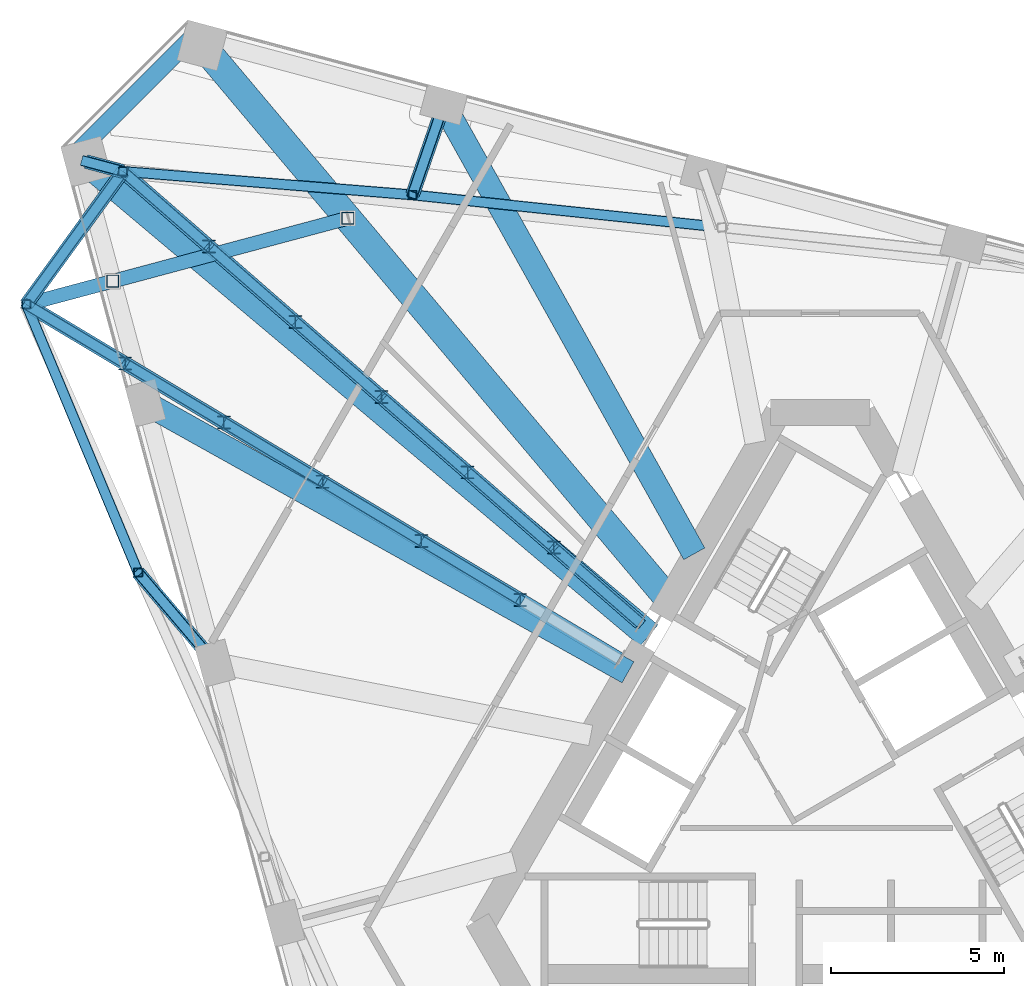
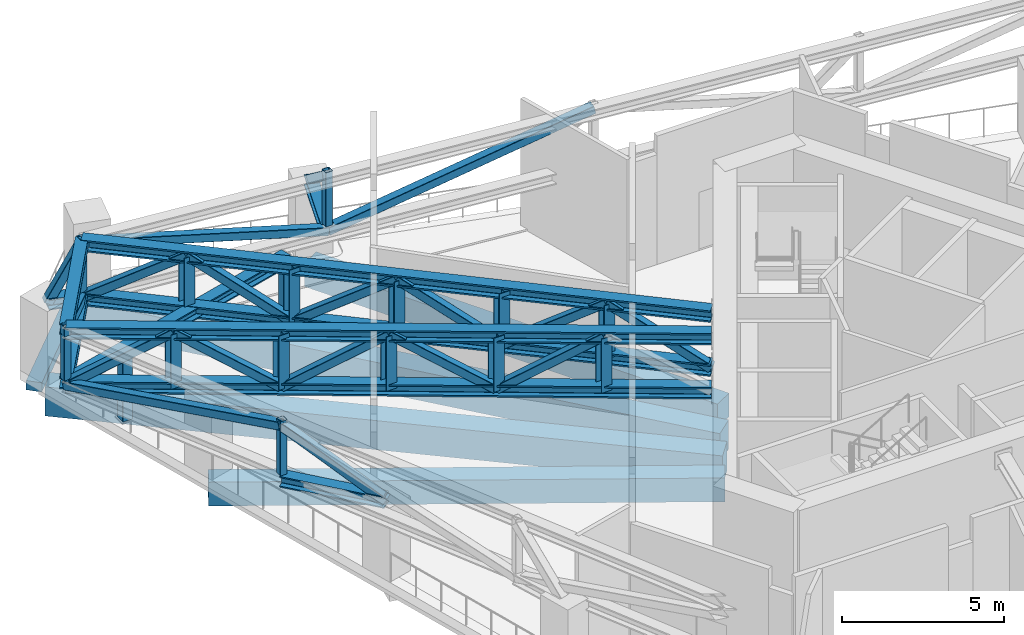
# One storey, part 9 of 22: 44 members, 5 beams.
"""IFC4 building model written with IfcOpenShell, lengths in metres."""

from ifc_helpers import new_model, si_unit, direction, frame, origin, origin_2d, place, context, subcontext, project, spatial, rectangle, hollow_rectangle, i_section, extrude, material, material_profile, profile_set, type_object, element, save


model = new_model("IFC4")

# Units and contexts
model_context = context("Model", 3, precision=1e-05, world=origin(), true_north=direction((0.0, 1.0)))
body_context = subcontext(model_context, "Body", "Model", "MODEL_VIEW")
ifc_project = project(units=[si_unit("LENGTHUNIT", "METRE"), si_unit("AREAUNIT", "SQUARE_METRE"), si_unit("VOLUMEUNIT", "CUBIC_METRE"), si_unit("PLANEANGLEUNIT", "RADIAN"), si_unit("MASSUNIT", "GRAM", prefix="KILO")], contexts=[model_context])

# Site, building, storey
site_placement = place(None, origin())
site = spatial("IfcSite", under=ifc_project, at=site_placement, CompositionType="ELEMENT")
building_placement = place(site_placement, origin())
building = spatial("IfcBuilding", under=site, at=building_placement, Name="Tramontana Tower", CompositionType="ELEMENT")
storey_placement = place(building_placement, frame((0.0, 0.0, 232.0)))
storey = spatial("IfcBuildingStorey", under=building, at=storey_placement, Name="L54", CompositionType="ELEMENT", Elevation=232.0)

# Members
ifc_material_1 = material(Name="Steel ASTM A500 Grade C", Category="steel")
ifc_material_profile_1 = material_profile(ifc_material_1, hollow_rectangle(XDim=0.25390625, YDim=0.25390625, WallThickness=0.01171875, InnerFilletRadius=0.01171875, OuterFilletRadius=0.023681640625, at=origin_2d()), Name="HSS10X10X1/2")
ifc_profile_set_1 = profile_set([ifc_material_profile_1], Name="Steel ASTM A500 Grade C")
member_type_1 = type_object("IfcMemberType", Name="Belt truss HSS10X10X1/2 post", PredefinedType="POST", material=ifc_profile_set_1)
for number, where, z_axis, x_axis, name in (
    (1, (-22.98291015625, 13.758056640625, 2.806396484375), (0.0, 0.0, 1.0), (1.0, 0.0, 0.0), "Belt truss post C6K1"),
    (2, (-19.746337890625, 5.996826171875, 2.806396484375), (0.0, 0.0, 1.0), (1.0, 0.0, 0.0), "Belt truss post C6F01"),
    (3, (-11.805419921875, 16.9267578125, 2.806396484375), (0.0, 0.0, 1.0), (1.0, 0.0, 0.0), "Belt truss post C6F12"),
    (4, (-20.18701171875, 17.606689453125, 2.806396484375), (0.0, 0.0, 1.0), (1.0, 0.0, 0.0), "Belt truss post C6K6"),
):
    element("IfcMember", number, at=place(storey_placement, frame(where, z_axis=z_axis, x_axis=x_axis)), inside=storey, type_object=member_type_1, Name=name, PredefinedType="POST", context=body_context, shape_type="SweptSolid", body=[
        extrude(hollow_rectangle(XDim=0.25390625, YDim=0.25390625, WallThickness=0.01171875, InnerFilletRadius=0.01171875, OuterFilletRadius=0.023681640625, at=origin_2d()), origin(), (0.0, 0.0, 1.0), 2.043701171875),
    ])
ifc_material_2 = material(Name="Steel ASTM A500 Grade C", Category="steel")
ifc_material_profile_2 = material_profile(ifc_material_2, hollow_rectangle(XDim=0.3046875, YDim=0.3046875, WallThickness=0.01171875, InnerFilletRadius=0.01171875, OuterFilletRadius=0.023681640625, at=origin_2d()), Name="HSS12X12X1/2")
ifc_profile_set_2 = profile_set([ifc_material_profile_2], Name="Steel ASTM A500 Grade C")
member_type_2 = type_object("IfcMemberType", Name="Belt truss HSS12X12X1/2 brace", PredefinedType="BRACE", material=ifc_profile_set_2)
member_1_placement = place(storey_placement, frame((-22.98291015625, 13.758056640625, 2.603271484375), z_axis=(0.37400699813, -0.896860712873, 0.236134764604), x_axis=(0.922961780161, 0.384891611186, 0.0)))
element("IfcMember", 5, at=member_1_placement, inside=storey, type_object=member_type_2, Name="Belt truss diagonal S0.1", PredefinedType="BRACE", context=body_context, shape_type="SweptSolid", body=[
    extrude(hollow_rectangle(XDim=0.3046875, YDim=0.3046875, WallThickness=0.01171875, InnerFilletRadius=0.01171875, OuterFilletRadius=0.023681640625, at=origin_2d()), origin(), (0.0, 0.0, 1.0), 8.65380859375),
])
member_2_placement = place(storey_placement, frame((-2.847900390625, 15.9853515625, 4.646728515625), z_axis=(-0.969874391038, 0.101930652817, -0.221255073671), x_axis=(-0.104521106837, -0.994522668533, 0.0)))
element("IfcMember", 6, at=member_2_placement, inside=storey, type_object=member_type_2, Name="Belt truss diagonal S2.4", PredefinedType="BRACE", context=body_context, shape_type="SweptSolid", body=[
    extrude(hollow_rectangle(XDim=0.3046875, YDim=0.3046875, WallThickness=0.01171875, InnerFilletRadius=0.01171875, OuterFilletRadius=0.023681640625, at=origin_2d()), origin(), (0.0, 0.0, 1.0), 9.23583984375),
])
member_3_placement = place(storey_placement, frame((-11.805419921875, 16.9267578125, 2.603271484375), z_axis=(-0.968539163701, 0.078569851473, 0.236132731356), x_axis=(-0.08085640509, -0.996725760556, 0.0)))
element("IfcMember", 7, at=member_3_placement, inside=storey, type_object=member_type_2, Name="Belt truss diagonal S2.5", PredefinedType="BRACE", context=body_context, shape_type="SweptSolid", body=[
    extrude(hollow_rectangle(XDim=0.3046875, YDim=0.3046875, WallThickness=0.01171875, InnerFilletRadius=0.01171875, OuterFilletRadius=0.023681640625, at=origin_2d()), origin(), (0.0, 0.0, 1.0), 8.65380859375),
])
member_4_placement = place(storey_placement, frame((-20.18701171875, 17.606689453125, 2.603271484375), z_axis=(-0.54002715425, -0.743362561962, 0.394693265899), x_axis=(0.809046680185, -0.587744391111, 0.0)))
element("IfcMember", 8, at=member_4_placement, inside=storey, type_object=member_type_2, Name="Belt truss diagonal K0.1", PredefinedType="BRACE", context=body_context, shape_type="SweptSolid", body=[
    extrude(hollow_rectangle(XDim=0.3046875, YDim=0.3046875, WallThickness=0.01171875, InnerFilletRadius=0.01171875, OuterFilletRadius=0.023681640625, at=origin_2d()), origin(), (0.0, 0.0, 1.0), 5.17724609375),
])
ifc_material_3 = material(Name="Steel ASTM A992 Grade 50", Category="steel")
ifc_material_profile_3 = material_profile(ifc_material_3, i_section(OverallWidth=0.4033203125, OverallDepth=0.406494140625, WebThickness=0.027099609375, FlangeThickness=0.04443359375, FilletRadius=0.01513671875, at=origin_2d()), Name="W14X233")
ifc_profile_set_3 = profile_set([ifc_material_profile_3], Name="Steel ASTM A992 Grade 50")
member_type_3 = type_object("IfcMemberType", Name="Belt truss W14X233 chord", PredefinedType="CHORD", material=ifc_profile_set_3)
for number, where, z_axis, x_axis, name in (
    (9, (-20.18701171875, 17.606689453125, 2.603271484375), (-0.587744391111, -0.809046680185, 0.0), (0.809046680185, -0.587744391111, 0.0), "Belt truss bottom chord K0"),
    (10, (-20.18701171875, 17.606689453125, 4.646728515625), (-0.587744391111, -0.809046680185, 0.0), (0.809046680185, -0.587744391111, 0.0), "Belt truss top chord K0"),
):
    element("IfcMember", number, at=place(storey_placement, frame(where, z_axis=z_axis, x_axis=x_axis)), inside=storey, type_object=member_type_3, Name=name, PredefinedType="CHORD", context=body_context, shape_type="SweptSolid", body=[
        extrude(i_section(OverallWidth=0.4033203125, OverallDepth=0.406494140625, WebThickness=0.027099609375, FlangeThickness=0.04443359375, FilletRadius=0.01513671875, at=origin_2d()), origin(), (0.0, 0.0, 1.0), 4.757080078125),
    ])
ifc_material_4 = material(Name="Steel ASTM A500 Grade C", Category="steel")
ifc_material_profile_4 = material_profile(ifc_material_4, hollow_rectangle(XDim=0.3046875, YDim=0.3046875, WallThickness=0.01171875, InnerFilletRadius=0.01171875, OuterFilletRadius=0.023681640625, at=origin_2d()), Name="HSS12X12X1/2")
ifc_profile_set_4 = profile_set([ifc_material_profile_4], Name="Steel ASTM A500 Grade C")
member_type_4 = type_object("IfcMemberType", Name="Outrigger truss HSS12X12X1/2 brace", PredefinedType="BRACE", material=ifc_profile_set_4)
member_5_placement = place(storey_placement, frame((-5.218505859375, 4.541259765625, 2.603271484375), z_axis=(-0.641117954268, 0.559613528491, 0.525167085264), x_axis=(-0.65759588186, -0.753370862299, 0.0)))
element("IfcMember", 11, at=member_5_placement, inside=storey, type_object=member_type_4, Name="Outrigger truss diagonal 5.1", PredefinedType="BRACE", context=body_context, shape_type="SweptSolid", body=[
    extrude(hollow_rectangle(XDim=0.3046875, YDim=0.3046875, WallThickness=0.01171875, InnerFilletRadius=0.01171875, OuterFilletRadius=0.023681640625, at=origin_2d()), origin(), (0.0, 0.0, 1.0), 3.89111328125),
])
member_6_placement = place(storey_placement, frame((-7.713134765625, 6.71875, 4.646728515625), z_axis=(-0.64113239548, 0.559634109764, -0.525127522279), x_axis=(-0.657601201194, -0.753366219171, 0.0)))
element("IfcMember", 12, at=member_6_placement, inside=storey, type_object=member_type_4, Name="Outrigger truss diagonal 5.2", PredefinedType="BRACE", context=body_context, shape_type="SweptSolid", body=[
    extrude(hollow_rectangle(XDim=0.3046875, YDim=0.3046875, WallThickness=0.01171875, InnerFilletRadius=0.01171875, OuterFilletRadius=0.023681640625, at=origin_2d()), origin(), (0.0, 0.0, 1.0), 3.891357421875),
])
for number, where, z_axis, x_axis, name in (
    (13, (-10.2080078125, 8.896484375, 2.603271484375), (-0.641117954268, 0.559613528491, 0.525167085264), (-0.65759588186, -0.753370862299, 0.0), "Outrigger truss diagonal 5.3"),
    (14, (-12.70263671875, 11.073974609375, 4.646728515625), (-0.641154906219, 0.559591017572, -0.525145959981), (-0.657559356383, -0.753402742783, 0.0), "Outrigger truss diagonal 5.4"),
    (15, (-15.197509765625, 13.25146484375, 2.603271484375), (-0.641117954268, 0.559613528491, 0.525167085264), (-0.65759588186, -0.753370862299, 0.0), "Outrigger truss diagonal 5.5"),
):
    element("IfcMember", number, at=place(storey_placement, frame(where, z_axis=z_axis, x_axis=x_axis)), inside=storey, type_object=member_type_4, Name=name, PredefinedType="BRACE", context=body_context, shape_type="SweptSolid", body=[
        extrude(hollow_rectangle(XDim=0.3046875, YDim=0.3046875, WallThickness=0.01171875, InnerFilletRadius=0.01171875, OuterFilletRadius=0.023681640625, at=origin_2d()), origin(), (0.0, 0.0, 1.0), 3.89111328125),
    ])
member_7_placement = place(storey_placement, frame((-17.692138671875, 15.428955078125, 4.646728515625), z_axis=(-0.64113239548, 0.559634109764, -0.525127522279), x_axis=(-0.657601201194, -0.753366219171, 0.0)))
element("IfcMember", 16, at=member_7_placement, inside=storey, type_object=member_type_4, Name="Outrigger truss diagonal 5.6", PredefinedType="BRACE", context=body_context, shape_type="SweptSolid", body=[
    extrude(hollow_rectangle(XDim=0.3046875, YDim=0.3046875, WallThickness=0.01171875, InnerFilletRadius=0.01171875, OuterFilletRadius=0.023681640625, at=origin_2d()), origin(), (0.0, 0.0, 1.0), 3.891357421875),
])
for number, where, z_axis, x_axis, name in (
    (17, (-8.686279296875, 5.19921875, 4.646728515625), (-0.731454519751, 0.437860966357, -0.522735171646), (-0.513622838256, -0.858016072123, 0.0), "Outrigger truss diagonal 6.2"),
    (18, (-11.545654296875, 6.910888671875, 2.603271484375), (-0.731405474591, 0.437931448026, 0.522744754703), (-0.513709056162, -0.857964454751, 0.0), "Outrigger truss diagonal 6.3"),
):
    element("IfcMember", number, at=place(storey_placement, frame(where, z_axis=z_axis, x_axis=x_axis)), inside=storey, type_object=member_type_4, Name=name, PredefinedType="BRACE", context=body_context, shape_type="SweptSolid", body=[
        extrude(hollow_rectangle(XDim=0.3046875, YDim=0.3046875, WallThickness=0.01171875, InnerFilletRadius=0.01171875, OuterFilletRadius=0.023681640625, at=origin_2d()), origin(), (0.0, 0.0, 1.0), 3.9091796875),
    ])
member_8_placement = place(storey_placement, frame((-14.40478515625, 8.622802734375, 4.646728515625), z_axis=(-0.731463555131, 0.437891441013, -0.522696999611), x_axis=(-0.513644483749, -0.858003114397, 0.0)))
element("IfcMember", 19, at=member_8_placement, inside=storey, type_object=member_type_4, Name="Outrigger truss diagonal 6.4", PredefinedType="BRACE", context=body_context, shape_type="SweptSolid", body=[
    extrude(hollow_rectangle(XDim=0.3046875, YDim=0.3046875, WallThickness=0.01171875, InnerFilletRadius=0.01171875, OuterFilletRadius=0.023681640625, at=origin_2d()), origin(), (0.0, 0.0, 1.0), 3.909423828125),
])
member_9_placement = place(storey_placement, frame((-17.264404296875, 10.334716796875, 2.603271484375), z_axis=(-0.731425478525, 0.437880969169, 0.522759051768), x_axis=(-0.513655125169, -0.85799674381, 0.0)))
element("IfcMember", 20, at=member_9_placement, inside=storey, type_object=member_type_4, Name="Outrigger truss diagonal 6.5", PredefinedType="BRACE", context=body_context, shape_type="SweptSolid", body=[
    extrude(hollow_rectangle(XDim=0.3046875, YDim=0.3046875, WallThickness=0.01171875, InnerFilletRadius=0.01171875, OuterFilletRadius=0.023681640625, at=origin_2d()), origin(), (0.0, 0.0, 1.0), 3.908935546875),
])
member_10_placement = place(storey_placement, frame((-20.12353515625, 12.04638671875, 4.646728515625), z_axis=(-0.731454519751, 0.437860966357, -0.522735171646), x_axis=(-0.513622838256, -0.858016072123, 0.0)))
element("IfcMember", 21, at=member_10_placement, inside=storey, type_object=member_type_4, Name="Outrigger truss diagonal 6.6", PredefinedType="BRACE", context=body_context, shape_type="SweptSolid", body=[
    extrude(hollow_rectangle(XDim=0.3046875, YDim=0.3046875, WallThickness=0.01171875, InnerFilletRadius=0.01171875, OuterFilletRadius=0.023681640625, at=origin_2d()), origin(), (0.0, 0.0, 1.0), 3.9091796875),
])
ifc_material_5 = material(Name="Steel ASTM A992 Grade 50", Category="steel")
ifc_material_profile_5 = material_profile(ifc_material_5, i_section(OverallWidth=0.374755859375, OverallDepth=0.37158203125, WebThickness=0.015869140625, FlangeThickness=0.025390625, FilletRadius=0.01513671875, at=origin_2d()), Name="W14X132")
ifc_profile_set_5 = profile_set([ifc_material_profile_5], Name="Steel ASTM A992 Grade 50")
member_type_5 = type_object("IfcMemberType", Name="Outrigger truss W14X132 post", PredefinedType="POST", material=ifc_profile_set_5)
for number, where, z_axis, x_axis, name in (
    (22, (-7.713134765625, 6.71875, 2.603271484375), (0.0, 0.0, 1.0), (1.0, 0.0, 0.0), "Outrigger truss post 5.1"),
    (23, (-10.2080078125, 8.896484375, 2.603271484375), (0.0, 0.0, 1.0), (1.0, 0.0, 0.0), "Outrigger truss post 5.2"),
    (24, (-12.70263671875, 11.073974609375, 2.603271484375), (0.0, 0.0, 1.0), (1.0, 0.0, 0.0), "Outrigger truss post 5.3"),
    (25, (-15.197509765625, 13.25146484375, 2.603271484375), (0.0, 0.0, 1.0), (1.0, 0.0, 0.0), "Outrigger truss post 5.4"),
    (26, (-17.692138671875, 15.428955078125, 2.603271484375), (0.0, 0.0, 1.0), (1.0, 0.0, 0.0), "Outrigger truss post 5.5"),
    (27, (-8.686279296875, 5.19921875, 2.603271484375), (0.0, 0.0, 1.0), (1.0, 0.0, 0.0), "Outrigger truss post 6.1"),
    (28, (-11.545654296875, 6.910888671875, 2.603271484375), (0.0, 0.0, 1.0), (1.0, 0.0, 0.0), "Outrigger truss post 6.2"),
    (29, (-14.40478515625, 8.622802734375, 2.603271484375), (0.0, 0.0, 1.0), (1.0, 0.0, 0.0), "Outrigger truss post 6.3"),
    (30, (-17.264404296875, 10.334716796875, 2.603271484375), (0.0, 0.0, 1.0), (1.0, 0.0, 0.0), "Outrigger truss post 6.4"),
    (31, (-20.12353515625, 12.04638671875, 2.603271484375), (0.0, 0.0, 1.0), (1.0, 0.0, 0.0), "Outrigger truss post 6.5"),
):
    element("IfcMember", number, at=place(storey_placement, frame(where, z_axis=z_axis, x_axis=x_axis)), inside=storey, type_object=member_type_5, Name=name, PredefinedType="POST", context=body_context, shape_type="SweptSolid", body=[
        extrude(i_section(OverallWidth=0.374755859375, OverallDepth=0.37158203125, WebThickness=0.015869140625, FlangeThickness=0.025390625, FilletRadius=0.01513671875, at=origin_2d()), origin(), (0.0, 0.0, 1.0), 2.04345703125),
    ])
ifc_material_6 = material(Name="Steel ASTM A992 Grade 50", Category="steel")
ifc_material_profile_6 = material_profile(ifc_material_6, i_section(OverallWidth=0.412841796875, OverallDepth=0.43505859375, WebThickness=0.03662109375, FlangeThickness=0.05712890625, FilletRadius=0.01513671875, at=origin_2d()), Name="W14X311")
ifc_profile_set_6 = profile_set([ifc_material_profile_6], Name="Steel ASTM A992 Grade 50")
member_type_6 = type_object("IfcMemberType", Name="Outrigger truss W14X311 chord", PredefinedType="CHORD", material=ifc_profile_set_6)
for number, where, z_axis, x_axis, name in (
    (32, (-5.218505859375, 4.541259765625, 2.603271484375), (-0.753374628114, 0.657591567551, 0.0), (-0.657591567551, -0.753374628114, 0.0), "Outrigger truss bottom chord 5"),
    (33, (-5.218505859375, 4.541259765625, 4.646728515625), (-0.753374628114, 0.657591567551, 0.0), (-0.657591567551, -0.753374628114, 0.0), "Outrigger truss top chord 5"),
):
    element("IfcMember", number, at=place(storey_placement, frame(where, z_axis=z_axis, x_axis=x_axis)), inside=storey, type_object=member_type_6, Name=name, PredefinedType="CHORD", context=body_context, shape_type="SweptSolid", body=[
        extrude(i_section(OverallWidth=0.412841796875, OverallDepth=0.43505859375, WebThickness=0.03662109375, FlangeThickness=0.05712890625, FilletRadius=0.01513671875, at=origin_2d()), origin(), (0.0, 0.0, 1.0), 19.86865234375),
    ])
for number, where, z_axis, x_axis, name in (
    (34, (-5.826904296875, 3.4873046875, 2.603271484375), (-0.85799670797, 0.513655185035, 0.0), (-0.513655185035, -0.85799670797, 0.0), "Outrigger truss bottom chord 6"),
    (35, (-5.826904296875, 3.4873046875, 4.646728515625), (-0.85799670797, 0.513655185035, 0.0), (-0.513655185035, -0.85799670797, 0.0), "Outrigger truss top chord 6"),
):
    element("IfcMember", number, at=place(storey_placement, frame(where, z_axis=z_axis, x_axis=x_axis)), inside=storey, type_object=member_type_6, Name=name, PredefinedType="CHORD", context=body_context, shape_type="SweptSolid", body=[
        extrude(i_section(OverallWidth=0.412841796875, OverallDepth=0.43505859375, WebThickness=0.03662109375, FlangeThickness=0.05712890625, FilletRadius=0.01513671875, at=origin_2d()), origin(), (0.0, 0.0, 1.0), 19.995361328125),
    ])

# Beams
ifc_material_7 = material(Name="Concrete 40 MPa", Category="concrete")
ifc_material_profile_7 = material_profile(ifc_material_7, rectangle(XDim=0.5, YDim=0.35009765625, at=origin_2d()), Name="RC EDGE BEAM 500X350 40 MPa")
ifc_profile_set_7 = profile_set([ifc_material_profile_7], Name="Concrete 40 MPa")
beam_type_1 = type_object("IfcBeamType", Name="RC EDGE BEAM 500X350 40 MPa", PredefinedType="SPANDREL", material=ifc_profile_set_7)
beam_1_placement = place(storey_placement, frame((-17.997314453125, 21.67138671875, -0.52490234375), z_axis=(-0.707106781187, -0.707106781187, 0.0), x_axis=(0.707106781187, -0.707106781187, 0.0)))
element("IfcBeam", 36, at=beam_1_placement, inside=storey, type_object=beam_type_1, Name="Spandrel beam K0 L54", PredefinedType="SPANDREL", context=body_context, shape_type="SweptSolid", body=[
    extrude(rectangle(XDim=0.5, YDim=0.35009765625, at=origin_2d()), origin(), (0.0, 0.0, 1.0), 5.19580078125),
])
ifc_material_8 = material(Name="Concrete 40 MPa", Category="concrete")
ifc_material_profile_8 = material_profile(ifc_material_8, rectangle(XDim=0.699951171875, YDim=0.89990234375, at=origin_2d()), Name="RC GIRDER 700X900 40 MPa")
ifc_profile_set_8 = profile_set([ifc_material_profile_8], Name="Concrete 40 MPa")
beam_type_2 = type_object("IfcBeamType", Name="RC GIRDER 700X900 40 MPa", PredefinedType="BEAM", material=ifc_profile_set_8)
beam_2_placement = place(storey_placement, frame((-19.53759765625, 10.9033203125, -0.800048828125), z_axis=(0.873222771741, -0.487321239956, 0.0), x_axis=(0.487321239956, 0.873222771741, 0.0)))
element("IfcBeam", 37, at=beam_2_placement, inside=storey, type_object=beam_type_2, Name="Radial girder C5F01 L54", PredefinedType="BEAM", context=body_context, shape_type="SweptSolid", body=[
    extrude(rectangle(XDim=0.699951171875, YDim=0.89990234375, at=origin_2d()), origin(), (0.0, 0.0, 1.0), 15.99853515625),
])
beam_3_placement = place(storey_placement, frame((-10.9033203125, 19.53759765625, -0.800048828125), z_axis=(0.487317016809, -0.873225128548, 0.0), x_axis=(0.873225128548, 0.487317016809, 0.0)))
element("IfcBeam", 38, at=beam_3_placement, inside=storey, type_object=beam_type_2, Name="Radial girder C5F15 L54", PredefinedType="BEAM", context=body_context, shape_type="SweptSolid", body=[
    extrude(rectangle(XDim=0.699951171875, YDim=0.89990234375, at=origin_2d()), origin(), (0.0, 0.0, 1.0), 14.887939453125),
])
ifc_material_9 = material(Name="Concrete 40 MPa", Category="concrete")
ifc_material_profile_9 = material_profile(ifc_material_9, rectangle(XDim=0.800048828125, YDim=1.10009765625, at=origin_2d()), Name="RC GIRDER 800X1100 40 MPa")
ifc_profile_set_9 = profile_set([ifc_material_profile_9], Name="Concrete 40 MPa")
beam_type_3 = type_object("IfcBeamType", Name="RC GIRDER 800X1100 40 MPa", PredefinedType="BEAM", material=ifc_profile_set_9)
beam_4_placement = place(storey_placement, frame((-21.2548828125, 17.89111328125, -0.89990234375), z_axis=(0.765048789766, -0.643972320273, 0.0), x_axis=(0.643972320273, 0.765048789766, 0.0)))
element("IfcBeam", 39, at=beam_4_placement, inside=storey, type_object=beam_type_3, Name="Radial girder C5K1 L54", PredefinedType="BEAM", context=body_context, shape_type="SweptSolid", body=[
    extrude(rectangle(XDim=0.800048828125, YDim=1.10009765625, at=origin_2d()), origin(), (0.0, 0.0, 1.0), 21.301513671875),
])
beam_5_placement = place(storey_placement, frame((-17.89111328125, 21.2548828125, -0.89990234375), z_axis=(0.643976971362, -0.765044874733, 0.0), x_axis=(0.765044874733, 0.643976971362, 0.0)))
element("IfcBeam", 40, at=beam_5_placement, inside=storey, type_object=beam_type_3, Name="Radial girder C5K6 L54", PredefinedType="BEAM", context=body_context, shape_type="SweptSolid", body=[
    extrude(rectangle(XDim=0.800048828125, YDim=1.10009765625, at=origin_2d()), origin(), (0.0, 0.0, 1.0), 20.978271484375),
])

# Members
ifc_material_10 = material(Name="Steel ASTM A500 Grade C", Category="steel")
ifc_material_profile_10 = material_profile(ifc_material_10, hollow_rectangle(XDim=0.3046875, YDim=0.3046875, WallThickness=0.01171875, InnerFilletRadius=0.01171875, OuterFilletRadius=0.023681640625, at=origin_2d()), Name="HSS12X12X1/2")
ifc_profile_set_10 = profile_set([ifc_material_profile_10], Name="Steel ASTM A500 Grade C")
member_type_7 = type_object("IfcMemberType", Name="Transfer truss HSS12X12X1/2 brace", PredefinedType="BRACE", material=ifc_profile_set_10)
member_11_placement = place(storey_placement, frame((-17.5205078125, 3.37451171875, 2.603271484375), z_axis=(-0.55634331977, 0.655444071257, 0.510759414991), x_axis=(-0.762389219091, -0.647118751555, 0.0)))
element("IfcMember", 41, at=member_11_placement, inside=storey, type_object=member_type_7, Name="Transfer truss strut C6F01 diagonal", PredefinedType="BRACE", context=body_context, shape_type="SweptSolid", body=[
    extrude(hollow_rectangle(XDim=0.3046875, YDim=0.3046875, WallThickness=0.01171875, InnerFilletRadius=0.01171875, OuterFilletRadius=0.023681640625, at=origin_2d()), origin(), (0.0, 0.0, 1.0), 4.000732421875),
])
member_12_placement = place(storey_placement, frame((-10.9033203125, 19.53759765625, 2.603271484375), z_axis=(-0.26254477557, -0.759852186725, 0.594722536272), x_axis=(0.945170861809, -0.326576242228, 0.0)))
element("IfcMember", 42, at=member_12_placement, inside=storey, type_object=member_type_7, Name="Transfer truss strut C6F12 diagonal", PredefinedType="BRACE", context=body_context, shape_type="SweptSolid", body=[
    extrude(hollow_rectangle(XDim=0.3046875, YDim=0.3046875, WallThickness=0.01171875, InnerFilletRadius=0.01171875, OuterFilletRadius=0.023681640625, at=origin_2d()), origin(), (0.0, 0.0, 1.0), 3.43603515625),
])
member_13_placement = place(storey_placement, frame((-21.2548828125, 17.89111328125, 2.603271484375), z_axis=(0.459667862793, -0.1224309694, 0.879611342382), x_axis=(0.257373882361, 0.966311898239, 0.0)))
element("IfcMember", 43, at=member_13_placement, inside=storey, type_object=member_type_7, Name="Transfer truss strut C6K6 diagonal", PredefinedType="BRACE", context=body_context, shape_type="SweptSolid", body=[
    extrude(hollow_rectangle(XDim=0.3046875, YDim=0.3046875, WallThickness=0.01171875, InnerFilletRadius=0.01171875, OuterFilletRadius=0.023681640625, at=origin_2d()), origin(), (0.0, 0.0, 1.0), 2.3232421875),
])
ifc_material_11 = material(Name="Steel ASTM A500 Grade C", Category="steel")
ifc_material_profile_11 = material_profile(ifc_material_11, hollow_rectangle(XDim=0.355712890625, YDim=0.355712890625, WallThickness=0.01171875, InnerFilletRadius=0.01171875, OuterFilletRadius=0.023681640625, at=origin_2d()), Name="HSS14X14X1/2")
ifc_profile_set_11 = profile_set([ifc_material_profile_11], Name="Steel ASTM A500 Grade C")
member_type_8 = type_object("IfcMemberType", Name="Transfer truss HSS14X14X1/2 post", PredefinedType="POST", material=ifc_profile_set_11)
for number, where, z_axis, x_axis, name in (
    (44, (-20.482177734375, 14.42822265625, 0.0400390625), (0.0, 0.0, 1.0), (1.0, 0.0, 0.0), "Transfer truss post C6K1.1"),
    (45, (-13.67919921875, 16.2509765625, 0.0400390625), (0.0, 0.0, 1.0), (1.0, 0.0, 0.0), "Transfer truss post C6K1.2"),
):
    element("IfcMember", number, at=place(storey_placement, frame(where, z_axis=z_axis, x_axis=x_axis)), inside=storey, type_object=member_type_8, Name=name, PredefinedType="POST", context=body_context, shape_type="SweptSolid", body=[
        extrude(hollow_rectangle(XDim=0.355712890625, YDim=0.355712890625, WallThickness=0.01171875, InnerFilletRadius=0.01171875, OuterFilletRadius=0.023681640625, at=origin_2d()), origin(), (0.0, 0.0, 1.0), 2.35986328125),
    ])
ifc_material_12 = material(Name="Steel ASTM A992 Grade 50", Category="steel")
ifc_material_profile_12 = material_profile(ifc_material_12, i_section(OverallWidth=0.4033203125, OverallDepth=0.406494140625, WebThickness=0.027099609375, FlangeThickness=0.04443359375, FilletRadius=0.01513671875, at=origin_2d()), Name="W14X233")
ifc_profile_set_12 = profile_set([ifc_material_profile_12], Name="Steel ASTM A992 Grade 50")
member_type_9 = type_object("IfcMemberType", Name="Transfer truss W14X233 chord", PredefinedType="CHORD", material=ifc_profile_set_12)
member_14_placement = place(storey_placement, frame((-22.98291015625, 13.758056640625, 2.603271484375), z_axis=(0.965925875875, 0.258818860044, 0.0), x_axis=(-0.258818860044, 0.965925875875, 0.0)))
element("IfcMember", 46, at=member_14_placement, inside=storey, type_object=member_type_9, Name="Transfer truss girder C6K1", PredefinedType="CHORD", context=body_context, shape_type="SweptSolid", body=[
    extrude(i_section(OverallWidth=0.4033203125, OverallDepth=0.406494140625, WebThickness=0.027099609375, FlangeThickness=0.04443359375, FilletRadius=0.01513671875, at=origin_2d()), origin(), (0.0, 0.0, 1.0), 9.6318359375),
])
ifc_material_13 = material(Name="Steel ASTM A992 Grade 50", Category="steel")
ifc_material_profile_13 = material_profile(ifc_material_13, i_section(OverallWidth=0.4033203125, OverallDepth=0.406494140625, WebThickness=0.027099609375, FlangeThickness=0.04443359375, FilletRadius=0.01513671875, at=origin_2d()), Name="W14X233")
ifc_profile_set_13 = profile_set([ifc_material_profile_13], Name="Steel ASTM A992 Grade 50")
member_type_10 = type_object("IfcMemberType", Name="Transfer truss W14X233 strut", PredefinedType="STRUT", material=ifc_profile_set_13)
member_15_placement = place(storey_placement, frame((-17.5205078125, 3.37451171875, 2.603271484375), z_axis=(-0.647118751555, 0.762389219091, 0.0), x_axis=(-0.762389219091, -0.647118751555, 0.0)))
element("IfcMember", 47, at=member_15_placement, inside=storey, type_object=member_type_10, Name="Transfer truss strut C6F01 bottom", PredefinedType="STRUT", context=body_context, shape_type="SweptSolid", body=[
    extrude(i_section(OverallWidth=0.4033203125, OverallDepth=0.406494140625, WebThickness=0.027099609375, FlangeThickness=0.04443359375, FilletRadius=0.01513671875, at=origin_2d()), origin(), (0.0, 0.0, 1.0), 3.439697265625),
])
member_16_placement = place(storey_placement, frame((-10.9033203125, 19.53759765625, 2.603271484375), z_axis=(-0.326576242228, -0.945170861809, 0.0), x_axis=(0.945170861809, -0.326576242228, 0.0)))
element("IfcMember", 48, at=member_16_placement, inside=storey, type_object=member_type_10, Name="Transfer truss strut C6F12 bottom", PredefinedType="STRUT", context=body_context, shape_type="SweptSolid", body=[
    extrude(i_section(OverallWidth=0.4033203125, OverallDepth=0.406494140625, WebThickness=0.027099609375, FlangeThickness=0.04443359375, FilletRadius=0.01513671875, at=origin_2d()), origin(), (0.0, 0.0, 1.0), 2.76220703125),
])
member_17_placement = place(storey_placement, frame((-21.2548828125, 17.89111328125, 2.603271484375), z_axis=(0.966311898239, -0.257373882361, 0.0), x_axis=(0.257373882361, 0.966311898239, 0.0)))
element("IfcMember", 49, at=member_17_placement, inside=storey, type_object=member_type_10, Name="Transfer truss strut C6K6 bottom", PredefinedType="STRUT", context=body_context, shape_type="SweptSolid", body=[
    extrude(i_section(OverallWidth=0.4033203125, OverallDepth=0.406494140625, WebThickness=0.027099609375, FlangeThickness=0.04443359375, FilletRadius=0.01513671875, at=origin_2d()), origin(), (0.0, 0.0, 1.0), 1.10498046875),
])

save(model, "model.ifc")
